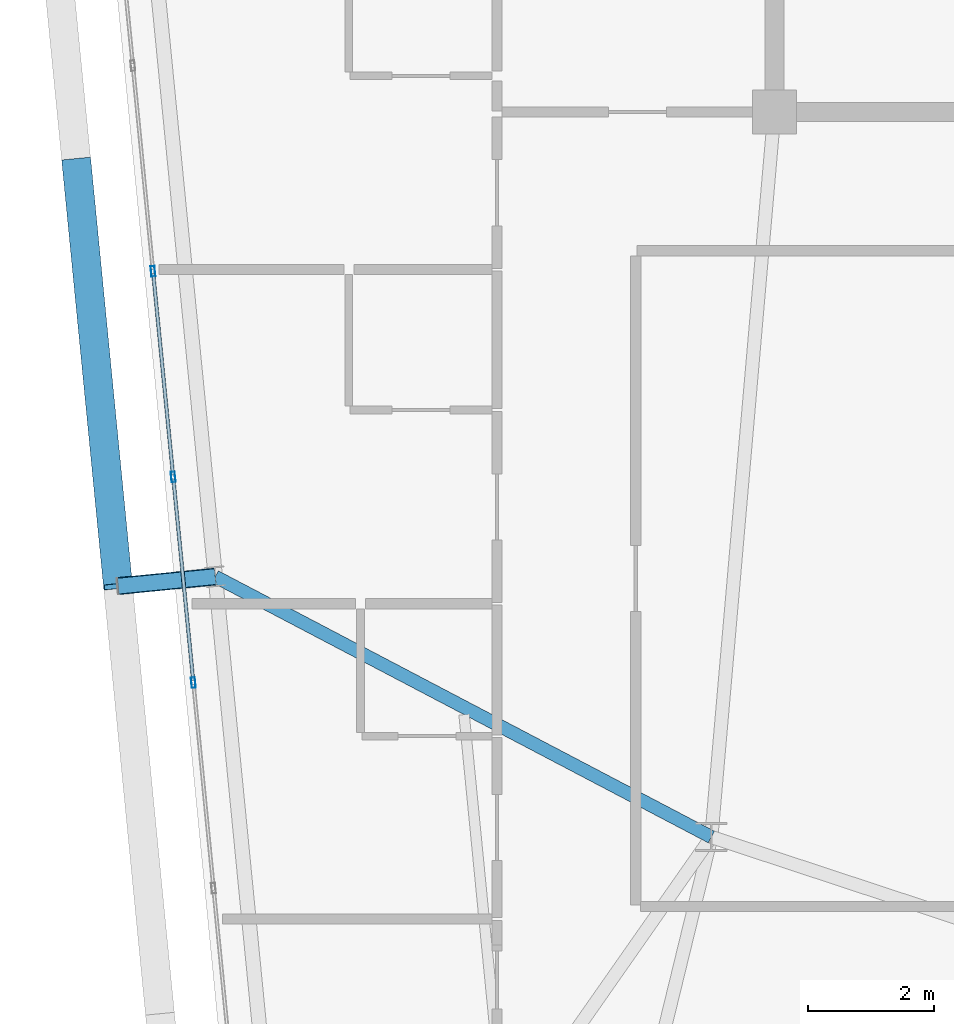
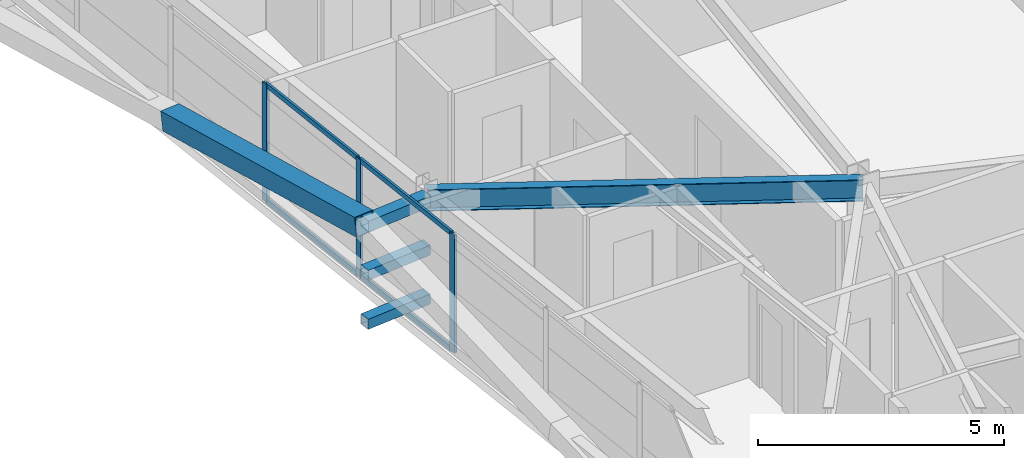
# One storey, part 13 of 53: 11 members, 1 beam, 1 element without a shape of its own.
"""IFC4 building model written with IfcOpenShell, lengths in metres."""

from ifc_helpers import new_model, si_unit, direction, frame, origin, origin_2d, place, context, subcontext, project, spatial, hollow_rectangle, i_section, extrude, source, transform, mapped, material, layer, layer_set, material_profile, profile_set, type_object, element, aggregate, save


model = new_model("IFC4")

# Units and contexts
model_context = context("Model", 3, precision=1e-05, world=origin(), true_north=direction((0.0, 1.0)))
body_context = subcontext(model_context, "Body", "Model", "MODEL_VIEW")
ifc_project = project(units=[si_unit("LENGTHUNIT", "METRE"), si_unit("AREAUNIT", "SQUARE_METRE"), si_unit("VOLUMEUNIT", "CUBIC_METRE"), si_unit("PLANEANGLEUNIT", "RADIAN"), si_unit("MASSUNIT", "GRAM", prefix="KILO")], contexts=[model_context])

# Site, building, storey
site_placement = place(None, origin())
site = spatial("IfcSite", under=ifc_project, at=site_placement, CompositionType="ELEMENT")
building_placement = place(site_placement, origin())
building = spatial("IfcBuilding", under=site, at=building_placement, Name="Taldren Reach Tower", CompositionType="ELEMENT")
storey_placement = place(building_placement, frame((0.0, 0.0, 68.25)))
storey = spatial("IfcBuildingStorey", under=building, at=storey_placement, Name="L20", CompositionType="ELEMENT", Elevation=68.25)

# Beam
ifc_material_1 = material(Name="Steel Gr 350 (350PLUS)", Category="steel")
ifc_material_profile_1 = material_profile(ifc_material_1, i_section(OverallWidth=0.208984375, OverallDepth=0.532958984375, WebThickness=0.01025390625, FlangeThickness=0.015625, at=origin_2d()), Name="530UB92.4")
ifc_profile_set_1 = profile_set([ifc_material_profile_1], Name="Steel Gr 350 (350PLUS)")
beam_type = type_object("IfcBeamType", Name="BM-UB530A", PredefinedType="BEAM", material=ifc_profile_set_1)
shared_shape_1 = source(origin(), body_context, "Body", "SweptSolid", [
    extrude(i_section(OverallWidth=0.208984375, OverallDepth=0.532958984375, WebThickness=0.01025390625, FlangeThickness=0.015625, at=origin_2d()), origin(), (0.0, 0.0, 1.0), 8.8876953125),
])
beam_placement = place(storey_placement, frame((18.0, 12.5, 2.66357421875), z_axis=(-0.885412881876, 0.464805366371, 0.0), x_axis=(-0.464805366371, -0.885412881876, 0.0)))
element("IfcBeam", 1, at=beam_placement, inside=storey, type_object=beam_type, Name="Primary floor girder B2-W2 L20", PredefinedType="BEAM", context=body_context, shape_type="MappedRepresentation", body=[
    mapped(shared_shape_1, transform((0.0, 0.0, 0.0), scale=1.0)),
])

# Members
ifc_material_2 = material(Name="Steel Gr 450 (C450L0)", Category="steel")
ifc_material_profile_2 = material_profile(ifc_material_2, hollow_rectangle(XDim=0.27490234375, YDim=0.27490234375, WallThickness=0.00927734375, at=origin_2d()), Name="275x275x9.3SHS")
ifc_profile_set_2 = profile_set([ifc_material_profile_2], Name="Steel Gr 450 (C450L0)")
member_type_1 = type_object("IfcMemberType", Name="MB-TIE273", PredefinedType="STRUT", material=ifc_profile_set_2)
shared_shape_2 = source(origin(), body_context, "Body", "SweptSolid", [
    extrude(hollow_rectangle(XDim=0.27490234375, YDim=0.27490234375, WallThickness=0.00927734375, at=origin_2d()), origin(), (0.0, 0.0, 1.0), 1.550048828125),
])
member_1_placement = place(storey_placement, frame((10.130615234375, 16.631103515625, 2.64990234375), z_axis=(-0.9952210252, -0.097647892962, 0.0), x_axis=(0.097647892962, -0.9952210252, 0.0)))
element("IfcMember", 2, at=member_1_placement, inside=storey, type_object=member_type_1, Name="Exoskeleton diaphragm tie strut B2-W2 L20", PredefinedType="STRUT", context=body_context, shape_type="MappedRepresentation", body=[
    mapped(shared_shape_2, transform((0.0, 0.0, 0.0), scale=1.0)),
])
ifc_material_3 = material(Name="Steel Gr 350 (C350L0)", Category="steel")
ifc_material_profile_3 = material_profile(ifc_material_3, hollow_rectangle(XDim=0.25, YDim=0.25, WallThickness=0.010009765625, at=origin_2d()), Name="250x250x10.0SHS")
ifc_profile_set_3 = profile_set([ifc_material_profile_3], Name="Steel Gr 350 (C350L0)")
member_type_2 = type_object("IfcMemberType", Name="MB-POST250", PredefinedType="POST", material=ifc_profile_set_3)
shared_shape_3 = source(origin(), body_context, "Body", "SweptSolid", [
    extrude(hollow_rectangle(XDim=0.25, YDim=0.25, WallThickness=0.010009765625, at=origin_2d()), origin(), (0.0, 0.0, 1.0), 1.550048828125),
])
for number, where, z_axis, x_axis, name in (
    (3, (10.130615234375, 16.631103515625, 0.219970703125), (-0.9952210252, -0.097647892962, 0.0), (0.097647892962, -0.9952210252, 0.0), "Exoskeleton base diaphragm tie strut B2-W2 L20"),
    (4, (10.130615234375, 16.631103515625, 1.43505859375), (-0.9952210252, -0.097647892962, 0.0), (0.097647892962, -0.9952210252, 0.0), "Exoskeleton mid-tier diaphragm tie B2-W2 L20"),
):
    element("IfcMember", number, at=place(storey_placement, frame(where, z_axis=z_axis, x_axis=x_axis)), inside=storey, type_object=member_type_2, Name=name, PredefinedType="POST", context=body_context, shape_type="MappedRepresentation", body=[
        mapped(shared_shape_3, transform((0.0, 0.0, 0.0), scale=1.0)),
    ])
ifc_material_profile_4 = material_profile(ifc_material_2, hollow_rectangle(XDim=0.4599609375, YDim=0.4599609375, WallThickness=0.01611328125, at=origin_2d()), Name="460x460x16.0SHS")
ifc_profile_set_4 = profile_set([ifc_material_profile_4], Name="Steel Gr 450 (C450L0)")
member_type_3 = type_object("IfcMemberType", Name="MB-EXO457", PredefinedType="BRACE", material=ifc_profile_set_4)
shared_shape_4 = source(origin(), body_context, "Body", "SweptSolid", [
    extrude(hollow_rectangle(XDim=0.4599609375, YDim=0.4599609375, WallThickness=0.01611328125, at=origin_2d()), origin(), (0.0, 0.0, 1.0), 6.883056640625),
])
member_2_placement = place(storey_placement, frame((7.9267578125, 23.222412109375, 1.43505859375), z_axis=(0.096052059581, -0.979603316657, 0.176497432967), x_axis=(0.995227290009, 0.097584021339, 0.0)))
element("IfcMember", 5, at=member_2_placement, inside=storey, type_object=member_type_3, Name="Exoskeleton Diagrid Brace B2-W2 L20", PredefinedType="BRACE", context=body_context, shape_type="MappedRepresentation", body=[
    mapped(shared_shape_4, transform((0.0, 0.0, 0.0), scale=1.0)),
])

# Curtain wall, members
ifc_material_4 = material(Name="Aluminium and Low-E Glass Unitised System", Category="aluminium")
ifc_layer = layer(ifc_material_4, 0.159912109375)
ifc_layer_set = layer_set([ifc_layer], Name="Aluminium and Low-E Glass Unitised System")
curtain_wall_type = type_object("IfcCurtainWallType", Name="CW-SYS-3", PredefinedType="NOTDEFINED", material=ifc_layer_set)
curtain_wall_placement = place(storey_placement, origin())
curtain_wall = element("IfcCurtainWall", 6, at=curtain_wall_placement, inside=storey, type_object=curtain_wall_type, Name="Unitised curtain wall CW-L20-W", PredefinedType="NOTDEFINED")
ifc_material_5 = material(Name="Anodised Aluminium 6063-T6", Category="aluminium")
ifc_material_profile_5 = material_profile(ifc_material_5, hollow_rectangle(XDim=0.06494140625, YDim=0.1650390625, WallThickness=0.00390625, at=origin_2d()), Name="ALU-165x65x4RHS")
ifc_profile_set_5 = profile_set([ifc_material_profile_5], Name="Anodised Aluminium 6063-T6")
member_type_4 = type_object("IfcMemberType", Name="CW-MUL-165", PredefinedType="MULLION", material=ifc_profile_set_5)
shared_shape_5 = source(origin(), body_context, "Body", "SweptSolid", [
    extrude(hollow_rectangle(XDim=0.06494140625, YDim=0.1650390625, WallThickness=0.00390625, at=origin_2d()), origin(), (0.0, 0.0, 1.0), 2.929931640625),
])
member_3_placement = place(storey_placement, frame((9.14306640625, 21.474609375, 0.0), z_axis=(0.0, 0.0, 1.0), x_axis=(0.99522741555, 0.09758274098, 0.0)))
member_3 = element("IfcMember", 7, at=member_3_placement, type_object=member_type_4, Name="CW-3 mullion 4", PredefinedType="MULLION", context=body_context, shape_type="MappedRepresentation", body=[
    mapped(shared_shape_5, transform((0.0, 0.0, 0.0), scale=1.0)),
])
member_4_placement = place(storey_placement, frame((9.463134765625, 18.21240234375, 0.0), z_axis=(0.0, 0.0, 1.0), x_axis=(0.99522741555, 0.09758274098, 0.0)))
member_4 = element("IfcMember", 8, at=member_4_placement, type_object=member_type_4, Name="CW-3 mullion 5", PredefinedType="MULLION", context=body_context, shape_type="MappedRepresentation", body=[
    mapped(shared_shape_5, transform((0.0, 0.0, 0.0), scale=1.0)),
])
member_5_placement = place(storey_placement, frame((9.782958984375, 14.9501953125, 0.0), z_axis=(0.0, 0.0, 1.0), x_axis=(0.99522741555, 0.09758274098, 0.0)))
member_5 = element("IfcMember", 9, at=member_5_placement, type_object=member_type_4, Name="CW-3 mullion 6", PredefinedType="MULLION", context=body_context, shape_type="MappedRepresentation", body=[
    mapped(shared_shape_5, transform((0.0, 0.0, 0.0), scale=1.0)),
])
ifc_material_profile_6 = material_profile(ifc_material_5, hollow_rectangle(XDim=0.054931640625, YDim=0.1201171875, WallThickness=0.0029296875, at=origin_2d()), Name="ALU-120x55x3RHS")
ifc_profile_set_6 = profile_set([ifc_material_profile_6], Name="Anodised Aluminium 6063-T6")
member_type_5 = type_object("IfcMemberType", Name="CW-TRN-135", PredefinedType="USERDEFINED", material=ifc_profile_set_6)
shared_shape_6 = source(origin(), body_context, "Body", "SweptSolid", [
    extrude(hollow_rectangle(XDim=0.054931640625, YDim=0.1201171875, WallThickness=0.0029296875, at=origin_2d()), origin(), (0.0, 0.0, 1.0), 3.212890625),
])
member_6_placement = place(storey_placement, frame((9.46630859375, 18.18017578125, 0.027587890625), z_axis=(0.097569948235, -0.995228669805, 0.0), x_axis=(0.995228669805, 0.097569948235, 0.0)))
member_6 = element("IfcMember", 10, at=member_6_placement, type_object=member_type_5, Name="CW-3 transom 5.1", ObjectType="TRANSOM", PredefinedType="USERDEFINED", context=body_context, shape_type="MappedRepresentation", body=[
    mapped(shared_shape_6, transform((0.0, 0.0, 0.0), scale=1.0)),
])
member_7_placement = place(storey_placement, frame((9.46630859375, 18.18017578125, 2.902587890625), z_axis=(0.097569948235, -0.995228669805, 0.0), x_axis=(0.995228669805, 0.097569948235, 0.0)))
member_7 = element("IfcMember", 11, at=member_7_placement, type_object=member_type_5, Name="CW-3 transom 5.2", ObjectType="TRANSOM", PredefinedType="USERDEFINED", context=body_context, shape_type="MappedRepresentation", body=[
    mapped(shared_shape_6, transform((0.0, 0.0, 0.0), scale=1.0)),
])
shared_shape_7 = source(origin(), body_context, "Body", "SweptSolid", [
    extrude(hollow_rectangle(XDim=0.054931640625, YDim=0.1201171875, WallThickness=0.0029296875, at=origin_2d()), origin(), (0.0, 0.0, 1.0), 3.212646484375),
])
member_8_placement = place(storey_placement, frame((9.146240234375, 21.442138671875, 0.027587890625), z_axis=(0.097652598057, -0.99522056354, 0.0), x_axis=(0.99522056354, 0.097652598057, 0.0)))
member_8 = element("IfcMember", 12, at=member_8_placement, type_object=member_type_5, Name="CW-3 transom 4.1", ObjectType="TRANSOM", PredefinedType="USERDEFINED", context=body_context, shape_type="MappedRepresentation", body=[
    mapped(shared_shape_7, transform((0.0, 0.0, 0.0), scale=1.0)),
])
member_9_placement = place(storey_placement, frame((9.146240234375, 21.442138671875, 2.902587890625), z_axis=(0.097652598057, -0.99522056354, 0.0), x_axis=(0.99522056354, 0.097652598057, 0.0)))
member_9 = element("IfcMember", 13, at=member_9_placement, type_object=member_type_5, Name="CW-3 transom 4.2", ObjectType="TRANSOM", PredefinedType="USERDEFINED", context=body_context, shape_type="MappedRepresentation", body=[
    mapped(shared_shape_7, transform((0.0, 0.0, 0.0), scale=1.0)),
])
aggregate(curtain_wall, [member_3, member_4, member_5, member_8, member_9, member_6, member_7])

save(model, "model.ifc")
